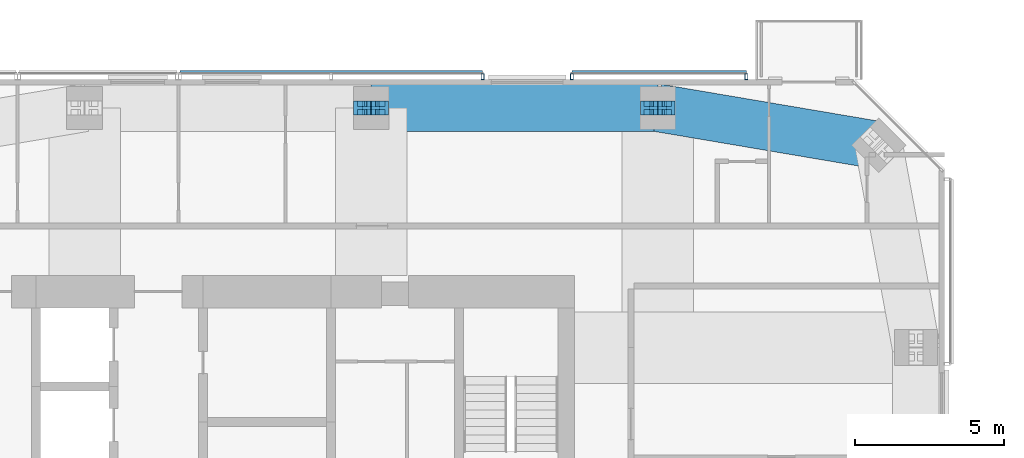
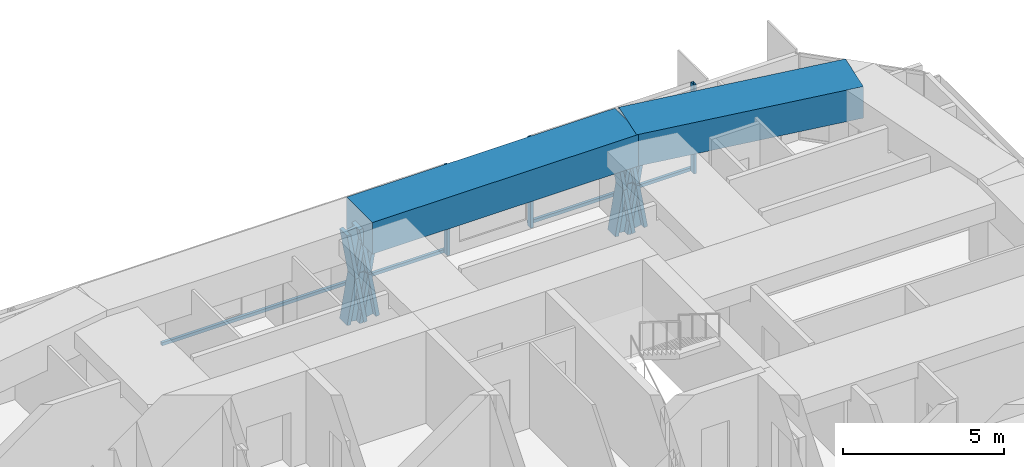
# One storey, part 10 of 18: 13 members, 2 beams, 2 elements without a shape of their own.
"""IFC4 building model written with IfcOpenShell, lengths in metres."""

from ifc_helpers import new_model, si_unit, direction, frame, origin, origin_2d, place, context, subcontext, project, spatial, rectangle, hollow_rectangle, i_section, extrude, material, material_profile, profile_set, type_object, element, aggregate, save


model = new_model("IFC4")

# Units and contexts
model_context = context("Model", 3, precision=1e-05, world=origin(), true_north=direction((0.0, 1.0)))
body_context = subcontext(model_context, "Body", "Model", "MODEL_VIEW")
ifc_project = project(units=[si_unit("LENGTHUNIT", "METRE"), si_unit("AREAUNIT", "SQUARE_METRE"), si_unit("VOLUMEUNIT", "CUBIC_METRE"), si_unit("PLANEANGLEUNIT", "RADIAN"), si_unit("MASSUNIT", "GRAM", prefix="KILO")], contexts=[model_context])

# Site, building, storey
site_placement = place(None, origin())
site = spatial("IfcSite", under=ifc_project, at=site_placement, CompositionType="ELEMENT")
building_placement = place(site_placement, origin())
building = spatial("IfcBuilding", under=site, at=building_placement, Name="Jalousie Tower", CompositionType="ELEMENT")
storey_placement = place(building_placement, frame((0.0, 0.0, 252.949951171875)))
storey = spatial("IfcBuildingStorey", under=building, at=storey_placement, Name="L69", CompositionType="ELEMENT", Elevation=252.949951171875)

# Members
ifc_material_1 = material(Name="Steel ASTM A992 Grade 50", Category="steel")
ifc_material_profile_1 = material_profile(ifc_material_1, i_section(OverallWidth=0.472412109375, OverallDepth=0.5791015625, WebThickness=0.094970703125, FlangeThickness=0.1298828125, at=origin_2d()), Name="W14X808")
ifc_profile_set_1 = profile_set([ifc_material_profile_1], Name="Steel ASTM A992 Grade 50")
member_type_1 = type_object("IfcMemberType", Name="PERIMETER BRACE W14X808", PredefinedType="BRACE", material=ifc_profile_set_1)
for number, where, z_axis, x_axis, name in (
    (1, (46.574951171875, 33.050048828125, -0.599853515625), (0.168990530437, 0.0, 0.98561767467), (0.0, 1.0, 0.0), "Perimeter brace 09 L69 part 1"),
    (2, (46.875, 33.050048828125, 1.150146484375), (0.168990530437, 0.0, 0.98561767467), (0.0, 1.0, 0.0), "Perimeter brace 09 L69 part 2"),
    (3, (47.175048828125, 33.050048828125, -0.599853515625), (-0.168990530437, 0.0, 0.98561767467), (0.0, -1.0, 0.0), "Perimeter brace 09 L69 part 3"),
    (4, (46.875, 33.050048828125, 1.150146484375), (-0.168990530437, 0.0, 0.98561767467), (0.0, -1.0, 0.0), "Perimeter brace 09 L69 part 4"),
    (5, (36.949951171875, 33.050048828125, -0.599853515625), (0.168990530437, 0.0, 0.98561767467), (0.0, 1.0, 0.0), "Perimeter brace 10 L69 part 1"),
    (6, (37.25, 33.050048828125, 1.150146484375), (0.168990530437, 0.0, 0.98561767467), (0.0, 1.0, 0.0), "Perimeter brace 10 L69 part 2"),
    (7, (37.550048828125, 33.050048828125, -0.599853515625), (-0.168990530437, 0.0, 0.98561767467), (0.0, -1.0, 0.0), "Perimeter brace 10 L69 part 3"),
    (8, (37.25, 33.050048828125, 1.150146484375), (-0.168990530437, 0.0, 0.98561767467), (0.0, -1.0, 0.0), "Perimeter brace 10 L69 part 4"),
):
    element("IfcMember", number, at=place(storey_placement, frame(where, z_axis=z_axis, x_axis=x_axis)), inside=storey, type_object=member_type_1, Name=name, PredefinedType="BRACE", context=body_context, shape_type="SweptSolid", body=[
        extrude(i_section(OverallWidth=0.472412109375, OverallDepth=0.5791015625, WebThickness=0.094970703125, FlangeThickness=0.1298828125, at=origin_2d()), origin(), (0.0, 0.0, 1.0), 1.775634765625),
    ])

# Beams
ifc_material_2 = material(Name="Concrete f'c 40 MPa", Category="concrete")
ifc_material_profile_2 = material_profile(ifc_material_2, rectangle(XDim=1.60009765625, YDim=1.199951171875, at=origin_2d()), Name="RC 1600x1200")
ifc_profile_set_2 = profile_set([ifc_material_profile_2], Name="Concrete f'c 40 MPa")
beam_type = type_object("IfcBeamType", Name="RC BEAM 1600x1200", PredefinedType="BEAM", material=ifc_profile_set_2)
beam_1_placement = place(storey_placement, frame((54.29296875, 31.79296875, 2.900146484375), z_axis=(-0.985942997446, 0.167082033105, 0.0), x_axis=(-0.167082033105, -0.985942997446, 0.0)))
element("IfcBeam", 9, at=beam_1_placement, inside=storey, type_object=beam_type, Name="Edge band beam 08-09 under L70", PredefinedType="BEAM", context=body_context, shape_type="SweptSolid", body=[
    extrude(rectangle(XDim=1.60009765625, YDim=1.199951171875, at=origin_2d()), origin(), (0.0, 0.0, 1.0), 7.523681640625),
])
beam_2_placement = place(storey_placement, frame((46.875, 33.050048828125, 2.900146484375), z_axis=(-1.0, 0.0, 0.0), x_axis=(0.0, -1.0, 0.0)))
element("IfcBeam", 10, at=beam_2_placement, inside=storey, type_object=beam_type, Name="Edge band beam 09-10 under L70", PredefinedType="BEAM", context=body_context, shape_type="SweptSolid", body=[
    extrude(rectangle(XDim=1.60009765625, YDim=1.199951171875, at=origin_2d()), origin(), (0.0, 0.0, 1.0), 9.625),
])

# Curtain wall, members
ifc_material_3 = material(Name="Perforated aluminium sheet", Category="aluminium")
curtain_wall_type = type_object("IfcCurtainWallType", Name="SOLAR SCREEN SS-2", PredefinedType="USERDEFINED", material=ifc_material_3)
curtain_wall_1_placement = place(storey_placement, origin())
curtain_wall_1 = element("IfcCurtainWall", 11, at=curtain_wall_1_placement, inside=storey, type_object=curtain_wall_type, Name="Solar screen L69", ObjectType="SOLAR SCREEN SS-2", PredefinedType="USERDEFINED")
ifc_material_4 = material(Name="Steel ASTM A500 Grade C", Category="steel")
ifc_material_profile_3 = material_profile(ifc_material_4, hollow_rectangle(XDim=0.1015625, YDim=0.203125, WallThickness=0.0078125, at=origin_2d()), Name="HSS8X4X5/16")
ifc_profile_set_3 = profile_set([ifc_material_profile_3], Name="Steel ASTM A500 Grade C")
member_type_2 = type_object("IfcMemberType", Name="SOLAR SCREEN SS-2 MULLION", PredefinedType="MULLION", material=ifc_profile_set_3)
member_1_placement = place(storey_placement, frame((49.8486328125, 34.0966796875, -0.119873046875), z_axis=(0.0, 0.0, 1.0), x_axis=(-1.0, 0.0, 0.0)))
member_1 = element("IfcMember", 12, at=member_1_placement, type_object=member_type_2, Name="SS2 post 1", PredefinedType="MULLION", context=body_context, shape_type="SweptSolid", body=[
    extrude(hollow_rectangle(XDim=0.1015625, YDim=0.203125, WallThickness=0.0078125, at=origin_2d()), origin(), (0.0, 0.0, 1.0), 3.3798828125),
])
member_2_placement = place(storey_placement, frame((43.98876953125, 34.0966796875, -0.119873046875), z_axis=(0.0, 0.0, 1.0), x_axis=(-1.0, 0.0, 0.0)))
member_2 = element("IfcMember", 13, at=member_2_placement, type_object=member_type_2, Name="SS2 post 2", PredefinedType="MULLION", context=body_context, shape_type="SweptSolid", body=[
    extrude(hollow_rectangle(XDim=0.1015625, YDim=0.203125, WallThickness=0.0078125, at=origin_2d()), origin(), (0.0, 0.0, 1.0), 3.3798828125),
])

# Curtain wall, member
curtain_wall_2_placement = place(storey_placement, origin())
curtain_wall_2 = element("IfcCurtainWall", 14, at=curtain_wall_2_placement, inside=storey, type_object=curtain_wall_type, Name="Solar screen L69", ObjectType="SOLAR SCREEN SS-2", PredefinedType="USERDEFINED")
member_3_placement = place(storey_placement, frame((40.98876953125, 34.0966796875, -0.119873046875), z_axis=(0.0, 0.0, 1.0), x_axis=(-1.0, 0.0, 0.0)))
member_3 = element("IfcMember", 15, at=member_3_placement, type_object=member_type_2, Name="SS2 post 1", PredefinedType="MULLION", context=body_context, shape_type="SweptSolid", body=[
    extrude(hollow_rectangle(XDim=0.1015625, YDim=0.203125, WallThickness=0.0078125, at=origin_2d()), origin(), (0.0, 0.0, 1.0), 3.3798828125),
])

# Member
ifc_material_5 = material(Name="Extruded aluminium screen rail", Category="aluminium")
ifc_material_profile_4 = material_profile(ifc_material_5, rectangle(XDim=0.1015625, YDim=0.1201171875, at=origin_2d()), Name="RAIL 102x120")
ifc_profile_set_4 = profile_set([ifc_material_profile_4], Name="Extruded aluminium screen rail")
member_type_3 = type_object("IfcMemberType", Name="SOLAR SCREEN SS-2 TRANSOM", PredefinedType="USERDEFINED", material=ifc_profile_set_4)
member_4_placement = place(storey_placement, frame((49.8486328125, 34.2490234375, -0.06005859375), z_axis=(-1.0, 0.0, 0.0), x_axis=(0.0, -1.0, 0.0)))
member_4 = element("IfcMember", 16, at=member_4_placement, type_object=member_type_3, Name="SS2 rail", ObjectType="TRANSOM", PredefinedType="USERDEFINED", context=body_context, shape_type="SweptSolid", body=[
    extrude(rectangle(XDim=0.1015625, YDim=0.1201171875, at=origin_2d()), origin(), (0.0, 0.0, 1.0), 5.85986328125),
])

aggregate(curtain_wall_1, [member_1, member_2, member_4])

member_5_placement = place(storey_placement, frame((40.98876953125, 34.2490234375, -0.06005859375), z_axis=(-1.0, 0.0, 0.0), x_axis=(0.0, -1.0, 0.0)))
member_5 = element("IfcMember", 17, at=member_5_placement, type_object=member_type_3, Name="SS2 rail", ObjectType="TRANSOM", PredefinedType="USERDEFINED", context=body_context, shape_type="SweptSolid", body=[
    extrude(rectangle(XDim=0.1015625, YDim=0.1201171875, at=origin_2d()), origin(), (0.0, 0.0, 1.0), 10.163818359375),
])

aggregate(curtain_wall_2, [member_3, member_5])

save(model, "model.ifc")
